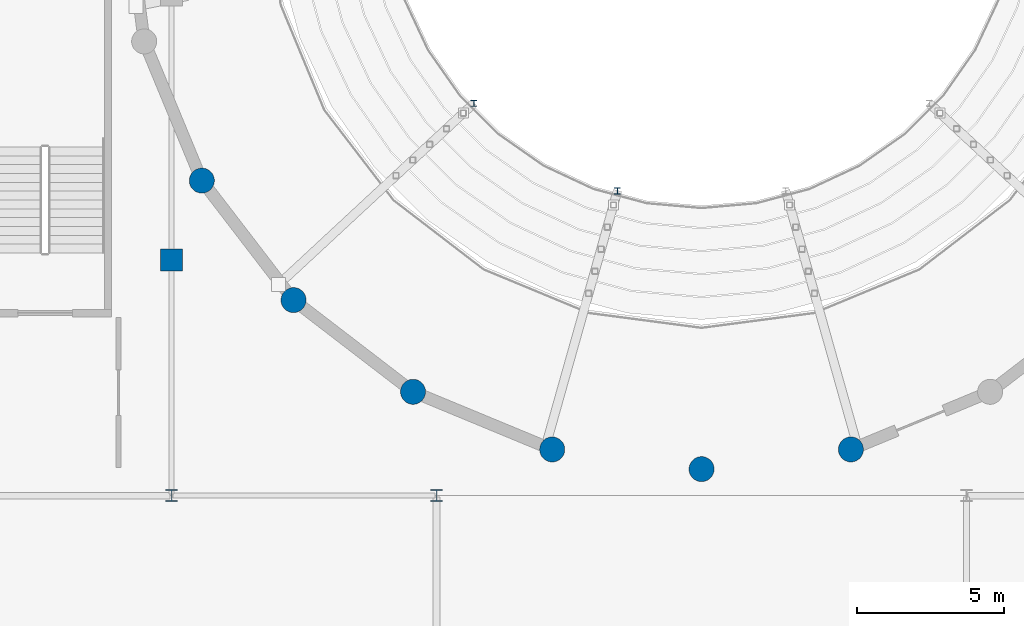
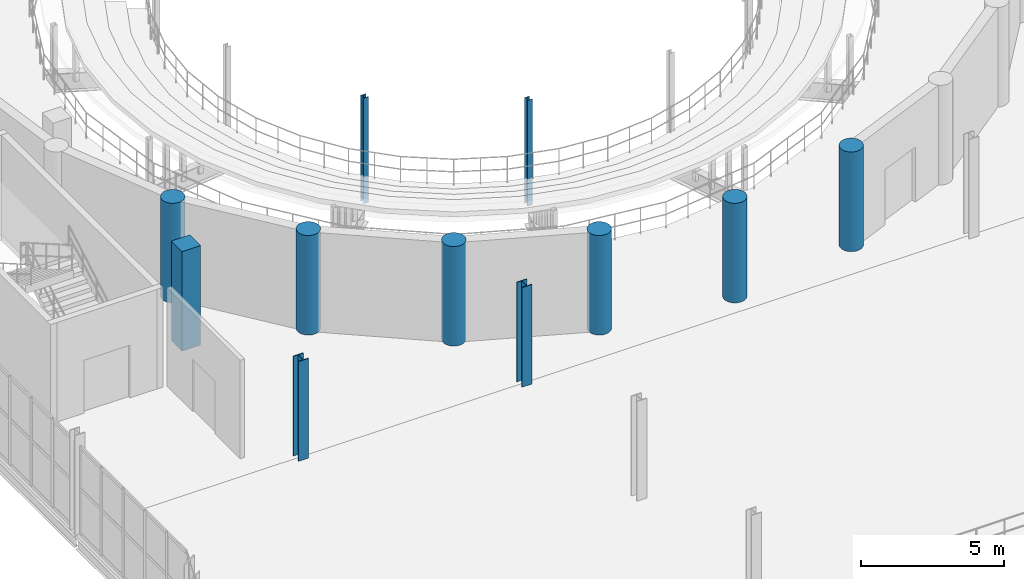
# One storey, part 7 of 85: 11 columns.
"""IFC4 building model written with IfcOpenShell, lengths in metres."""

from ifc_helpers import new_model, si_unit, direction, frame, origin, origin_2d, place, context, subcontext, project, spatial, rectangle, circle, i_section, extrude, material, material_profile, profile_set, type_object, element, save


model = new_model("IFC4")

# Units and contexts
model_context = context("Model", 3, precision=1e-05, world=origin(), true_north=direction((0.0, 1.0)))
body_context = subcontext(model_context, "Body", "Model", "MODEL_VIEW")
ifc_project = project(units=[si_unit("LENGTHUNIT", "METRE"), si_unit("AREAUNIT", "SQUARE_METRE"), si_unit("VOLUMEUNIT", "CUBIC_METRE"), si_unit("PLANEANGLEUNIT", "RADIAN"), si_unit("MASSUNIT", "GRAM", prefix="KILO")], contexts=[model_context])

# Site, building, storey
site_placement = place(None, origin())
site = spatial("IfcSite", under=ifc_project, at=site_placement, CompositionType="ELEMENT")
building_placement = place(site_placement, origin())
building = spatial("IfcBuilding", under=site, at=building_placement, Name="Marnock Terrace Opera House", CompositionType="ELEMENT")
storey_placement = place(building_placement, frame((0.0, 0.0, 10.199951171875)))
storey = spatial("IfcBuildingStorey", under=building, at=storey_placement, Name="L02", CompositionType="ELEMENT", Elevation=10.199951171875)

# Columns
ifc_material_1 = material(Name="Concrete N50 (f'c = 50 MPa)", Category="concrete")
ifc_material_profile_1 = material_profile(ifc_material_1, circle(Radius=0.425048828125, at=origin_2d()))
ifc_profile_set_1 = profile_set([ifc_material_profile_1], Name="Concrete N50 (f'c = 50 MPa)")
column_type_1 = type_object("IfcColumnType", Name="COL-DRUM-850", PredefinedType="COLUMN", material=ifc_profile_set_1)
for number, where, z_axis, x_axis, name in (
    (1, (65.02587890625, 50.699951171875, 0.0), (0.0, 0.0, 1.0), (1.0, 0.0, 0.0), "L02 auditorium drum pier 15"),
    (2, (68.14111328125, 46.64111328125, 0.0), (0.0, 0.0, 1.0), (1.0, 0.0, 0.0), "L02 auditorium drum pier 16"),
    (3, (72.199951171875, 43.52587890625, 0.0), (0.0, 0.0, 1.0), (1.0, 0.0, 0.0), "L02 auditorium drum pier 17"),
    (4, (76.927001953125, 41.568115234375, 0.0), (0.0, 0.0, 1.0), (1.0, 0.0, 0.0), "L02 auditorium drum pier 18"),
    (5, (82.0, 40.89990234375, 0.0), (0.0, 0.0, 1.0), (1.0, 0.0, 0.0), "L02 auditorium drum pier 19"),
    (6, (87.072998046875, 41.568115234375, 0.0), (0.0, 0.0, 1.0), (1.0, 0.0, 0.0), "L02 auditorium drum pier 20"),
):
    element("IfcColumn", number, at=place(storey_placement, frame(where, z_axis=z_axis, x_axis=x_axis)), inside=storey, type_object=column_type_1, Name=name, PredefinedType="COLUMN", context=body_context, shape_type="SweptSolid", body=[
        extrude(circle(Radius=0.425048828125, at=origin_2d()), origin(), (0.0, 0.0, 1.0), 4.239990234375),
    ])
ifc_material_profile_2 = material_profile(ifc_material_1, rectangle(XDim=0.75, YDim=0.75, at=origin_2d()))
ifc_profile_set_2 = profile_set([ifc_material_profile_2], Name="Concrete N50 (f'c = 50 MPa)")
column_type_2 = type_object("IfcColumnType", Name="COL-RC750", PredefinedType="COLUMN", material=ifc_profile_set_2)
column_placement = place(storey_placement, frame((64.0, 48.0, 0.0), z_axis=(0.0, 0.0, 1.0), x_axis=(1.0, 0.0, 0.0)))
element("IfcColumn", 7, at=column_placement, inside=storey, type_object=column_type_2, Name="L02 column at (64.0, 48.0)", PredefinedType="COLUMN", context=body_context, shape_type="SweptSolid", body=[
    extrude(rectangle(XDim=0.75, YDim=0.75, at=origin_2d()), origin(), (0.0, 0.0, 1.0), 4.239990234375),
])
ifc_material_2 = material(Name="Steel Grade 350 (AS/NZS 3679.1)", Category="steel")
ifc_material_profile_3 = material_profile(ifc_material_2, i_section(OverallWidth=0.205078125, OverallDepth=0.209716796875, WebThickness=0.00927734375, FlangeThickness=0.01416015625, FilletRadius=0.011474609375, at=origin_2d()))
ifc_profile_set_3 = profile_set([ifc_material_profile_3], Name="Steel Grade 350 (AS/NZS 3679.1)")
column_type_3 = type_object("IfcColumnType", Name="COL-UC200", PredefinedType="COLUMN", material=ifc_profile_set_3)
for number, where, z_axis, x_axis, name in (
    (8, (74.266357421875, 53.32421875, -0.81005859375), (0.0, 0.0, 1.0), (1.0, 0.0, 0.0), "L02 Auditorium balcony-front column 3"),
    (9, (79.142578125, 50.34423828125, -0.81005859375), (0.0, 0.0, 1.0), (1.0, 0.0, 0.0), "L02 Auditorium balcony-front column 4"),
):
    element("IfcColumn", number, at=place(storey_placement, frame(where, z_axis=z_axis, x_axis=x_axis)), inside=storey, type_object=column_type_3, Name=name, PredefinedType="COLUMN", context=body_context, shape_type="SweptSolid", body=[
        extrude(i_section(OverallWidth=0.205078125, OverallDepth=0.209716796875, WebThickness=0.00927734375, FlangeThickness=0.01416015625, FilletRadius=0.011474609375, at=origin_2d()), origin(), (0.0, 0.0, 1.0), 4.5),
    ])
ifc_material_3 = material(Name="Steel Grade 350 Welded (AS/NZS 3679.2)", Category="steel")
ifc_material_profile_4 = material_profile(ifc_material_3, i_section(OverallWidth=0.39990234375, OverallDepth=0.39990234375, WebThickness=0.02001953125, FlangeThickness=0.031982421875, at=origin_2d()))
ifc_profile_set_4 = profile_set([ifc_material_profile_4], Name="Steel Grade 350 Welded (AS/NZS 3679.2)")
column_type_4 = type_object("IfcColumnType", Name="COL-WC400", PredefinedType="COLUMN", material=ifc_profile_set_4)
for number, where, z_axis, x_axis, name in (
    (10, (64.0, 40.0, 0.0), (0.0, 0.0, 1.0), (1.0, 0.0, 0.0), "L02 column at (64.0, 40.0)"),
    (11, (73.0, 40.0, 0.0), (0.0, 0.0, 1.0), (1.0, 0.0, 0.0), "L02 column at (73.0, 40.0)"),
):
    element("IfcColumn", number, at=place(storey_placement, frame(where, z_axis=z_axis, x_axis=x_axis)), inside=storey, type_object=column_type_4, Name=name, PredefinedType="COLUMN", context=body_context, shape_type="SweptSolid", body=[
        extrude(i_section(OverallWidth=0.39990234375, OverallDepth=0.39990234375, WebThickness=0.02001953125, FlangeThickness=0.031982421875, at=origin_2d()), origin(), (0.0, 0.0, 1.0), 4.239990234375),
    ])

save(model, "model.ifc")
